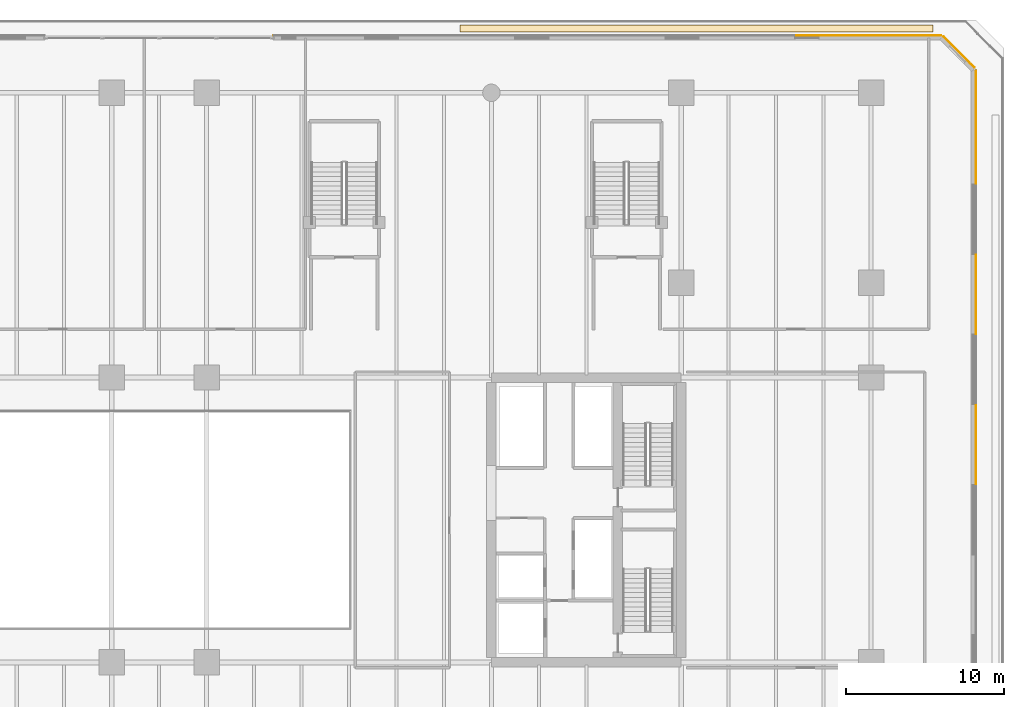
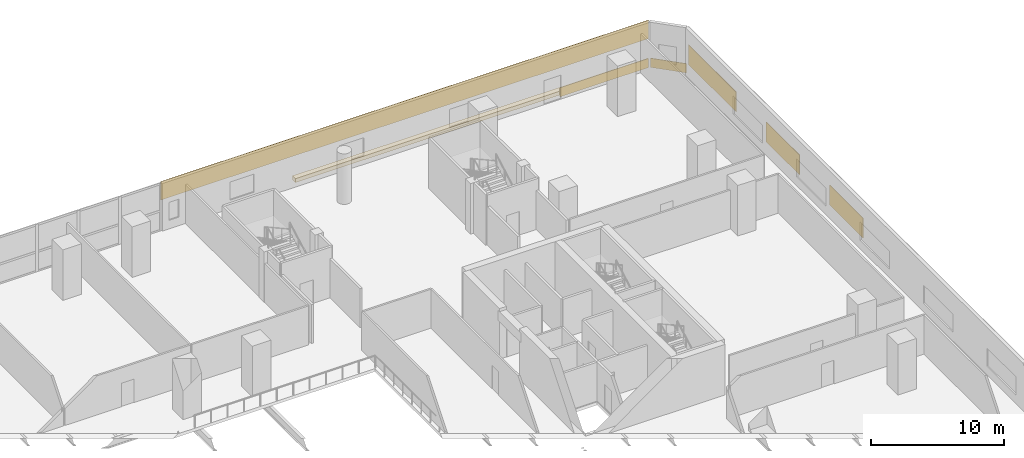
# One storey, part 27 of 27: 7 coverings.
"""IFC4 building model written with IfcOpenShell, lengths in metres."""

from ifc_helpers import new_model, si_unit, direction, frame, origin, origin_2d, place, context, subcontext, project, spatial, polyline, rectangle, outline, extrude, material, layer, layer_set, type_object, element, save


model = new_model("IFC4")

# Units and contexts
model_context = context("Model", 3, precision=1e-05, world=origin(), true_north=direction((0.0, 1.0)))
body_context = subcontext(model_context, "Body", "Model", "MODEL_VIEW")
ifc_project = project(units=[si_unit("LENGTHUNIT", "METRE"), si_unit("AREAUNIT", "SQUARE_METRE"), si_unit("VOLUMEUNIT", "CUBIC_METRE"), si_unit("PLANEANGLEUNIT", "RADIAN"), si_unit("MASSUNIT", "GRAM", prefix="KILO")], contexts=[model_context])

# Site, building, storey
site_placement = place(None, origin())
site = spatial("IfcSite", under=ifc_project, at=site_placement, CompositionType="ELEMENT")
building_placement = place(site_placement, origin())
building = spatial("IfcBuilding", under=site, at=building_placement, Name="Tanjung Sevakor Pilgrim Tower", CompositionType="ELEMENT")
storey_placement = place(building_placement, frame((0.0, 0.0, 14.85009765625)))
storey = spatial("IfcBuildingStorey", under=building, at=storey_placement, Name="L04", CompositionType="ELEMENT", Elevation=14.85009765625)

# Coverings
ifc_material_1 = material(Name="Reconstructed Limestone Cladding", Category="masonry")
ifc_layer_1 = layer(ifc_material_1, 0.044921875)
ifc_layer_set_1 = layer_set([ifc_layer_1], Name="COV-CLAD-LIMESTONE")
covering_type_1 = type_object("IfcCoveringType", Name="COV-CLAD-LIMESTONE", PredefinedType="CLADDING", material=ifc_layer_set_1)
for number, where, z_axis, x_axis, name in (
    (1, (108.62255859375, 38.35009765625, 0.849853515625), (0.0, 0.0, 1.0), (0.0, 1.0, 0.0), "L04 Warm Limestone Pier Panel EW-L04-MAIN-3-4"),
    (2, (108.62255859375, 47.85009765625, 0.849853515625), (0.0, 0.0, 1.0), (0.0, 1.0, 0.0), "L04 Warm Limestone Pier Panel EW-L04-MAIN-3-5"),
):
    element("IfcCovering", number, at=place(storey_placement, frame(where, z_axis=z_axis, x_axis=x_axis)), inside=storey, type_object=covering_type_1, Name=name, PredefinedType="CLADDING", context=body_context, shape_type="SweptSolid", body=[
        extrude(rectangle(XDim=5.0, YDim=0.044921875, at=origin_2d()), origin(), (0.0, 0.0, 1.0), 1.81005859375),
    ])
covering_1_placement = place(storey_placement, frame((108.62255859375, 58.426025390625, 0.849853515625), z_axis=(0.0, 0.0, 1.0), x_axis=(0.0, 1.0, 0.0)))
element("IfcCovering", 3, at=covering_1_placement, inside=storey, type_object=covering_type_1, Name="L04 Warm Limestone Pier Panel EW-L04-MAIN-3-6", PredefinedType="CLADDING", context=body_context, shape_type="SweptSolid", body=[
    extrude(rectangle(XDim=7.152099609375, YDim=0.044921875, at=origin_2d()), origin(), (0.0, 0.0, 1.0), 1.81005859375),
])
covering_2_placement = place(storey_placement, frame((107.56591796875, 63.166015625, 0.009765625), z_axis=(0.0, 0.0, 1.0), x_axis=(-0.707106781187, 0.707106781187, 0.0)))
element("IfcCovering", 4, at=covering_2_placement, inside=storey, type_object=covering_type_1, Name="L04 Warm Limestone Sill Spandrel EW-L04-MAIN-4-1", PredefinedType="CLADDING", context=body_context, shape_type="SweptSolid", body=[
    extrude(rectangle(XDim=2.77392578125, YDim=0.044921875, at=origin_2d()), origin(), (0.0, 0.0, 1.0), 0.840087890625),
])
covering_3_placement = place(storey_placement, frame((102.576904296875, 64.222412109375, 0.009765625), z_axis=(0.0, 0.0, 1.0), x_axis=(-1.0, 0.0, 0.0)))
element("IfcCovering", 5, at=covering_3_placement, inside=storey, type_object=covering_type_1, Name="L04 Warm Limestone Sill Spandrel EW-L04-N1-1", PredefinedType="CLADDING", context=body_context, shape_type="SweptSolid", body=[
    extrude(rectangle(XDim=7.64990234375, YDim=0.044921875, at=origin_2d()), origin(), (0.0, 0.0, 1.0), 0.840087890625),
])
covering_4_placement = place(storey_placement, frame((85.321044921875, 64.222412109375, 2.659912109375), z_axis=(0.0, 0.0, 1.0), x_axis=(-1.0, 0.0, 0.0)))
element("IfcCovering", 6, at=covering_4_placement, inside=storey, type_object=covering_type_1, Name="L04 Warm Limestone Cornice Spandrel EW-L04-N1", PredefinedType="CLADDING", context=body_context, shape_type="SweptSolid", body=[
    extrude(rectangle(XDim=42.201904296875, YDim=0.044921875, at=origin_2d()), origin(), (0.0, 0.0, 1.0), 1.669921875),
])
ifc_material_2 = material(Name="Vegetated Modular Planter Assembly", Category="organic")
ifc_layer_2 = layer(ifc_material_2, 0.35009765625)
ifc_layer_set_2 = layer_set([ifc_layer_2], Name="COV-GRN-TROUGH")
covering_type_2 = type_object("IfcCoveringType", Name="COV-GRN-TROUGH", PredefinedType="CLADDING", material=ifc_layer_set_2)
covering_5_placement = place(storey_placement, origin())
element("IfcCovering", 7, at=covering_5_placement, inside=storey, type_object=covering_type_2, Name="L04 Planted Landscape Hedge Trough PGRN-L04-NE", PredefinedType="CLADDING", context=body_context, shape_type="SweptSolid", body=[
    extrude(outline(polyline([(76.0, 64.429931640625), (105.89990234375, 64.429931640625), (105.89990234375, 64.8701171875), (76.0, 64.8701171875), (76.0, 64.429931640625)])), origin(), (0.0, 0.0, 1.0), 0.349853515625),
])

save(model, "model.ifc")
